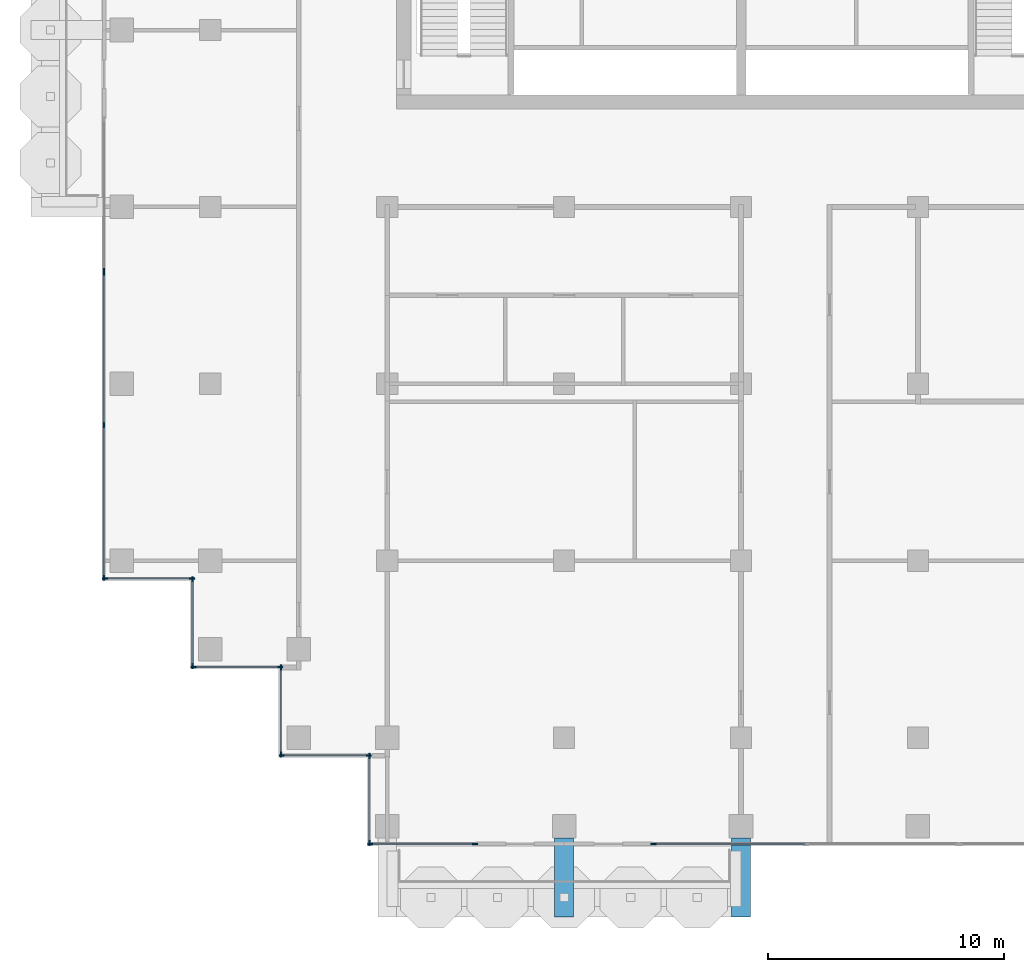
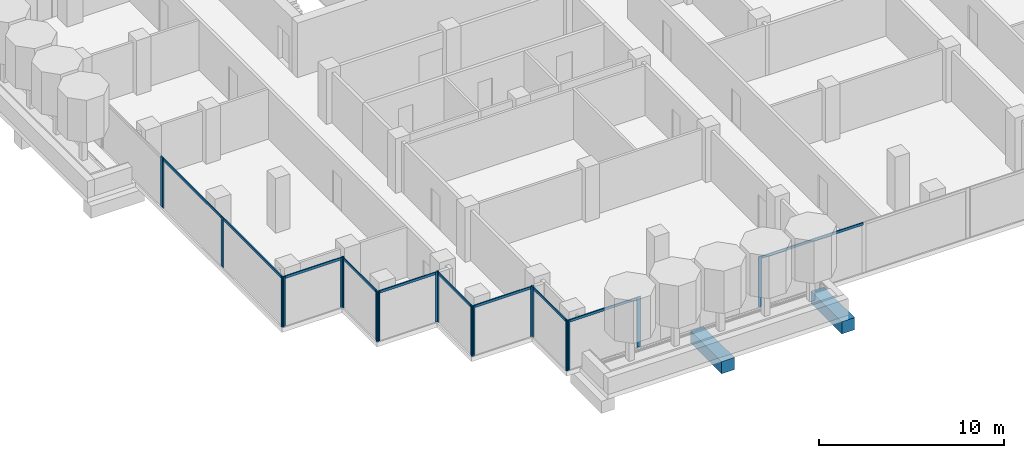
# One storey, part 2 of 18: 29 members, 2 beams, 10 elements without a shape of their own.
"""IFC4 building model written with IfcOpenShell, lengths in metres."""

import ifcopenshell
import ifcopenshell.guid

model = None  # the IFC model being written
_history = None  # IfcOwnerHistory: only IFC2X3 demands one
_inside = {}  # id of a spatial element -> (the spatial element, [elements in it])
_under = {}  # id of a project, library or spatial element -> (it, [spatial elements below it])
_declared = {}  # id of a project -> (the project, [libraries it declares])
_typed = {}  # id of a type object -> (the type object, [elements of that type])
_made_of = {}  # id of a material, layer set ... -> (it, [elements and type objects made of it])


def new_model(schema):
    """Start an empty IFC model of exactly this schema.

    Asked for "IFC4X3", IfcOpenShell would pick the latest addendum, in which some entities
    have other attributes; the version numbers below select the first issue.
    IFC2X3 requires an IfcOwnerHistory on every rooted entity: one is made here for all.
    """
    global model, _history
    if schema == "IFC4X3":
        model = ifcopenshell.file(schema_version=(4, 3, 0, 0))
    else:
        model = ifcopenshell.file(schema=schema)
    _inside.clear()
    _under.clear()
    _declared.clear()
    _typed.clear()
    _made_of.clear()
    _history = None
    if model.schema == "IFC2X3":
        org = make("IfcOrganization", Name="unknown")
        user = make(
            "IfcPersonAndOrganization",
            ThePerson=make("IfcPerson", FamilyName="unknown"),
            TheOrganization=org,
        )
        app = make(
            "IfcApplication",
            ApplicationDeveloper=org,
            Version="unknown",
            ApplicationFullName="unknown",
            ApplicationIdentifier="unknown",
        )
        _history = make(
            "IfcOwnerHistory",
            OwningUser=user,
            OwningApplication=app,
            ChangeAction="ADDED",
            CreationDate=0,
        )
    return model


def make(cls, **values):
    """One entity of the class cls with the attributes given. An attribute that is None is left unset."""
    return model.create_entity(
        cls, **{name: value for name, value in values.items() if value is not None}
    )


def rooted(cls, **values):
    """An entity with a GlobalId (a new one), such as an element, a storey or a relation."""
    return make(cls, GlobalId=ifcopenshell.guid.new(), OwnerHistory=_history, **values)


def si_unit(unit_type, name, prefix=None):
    """IfcSIUnit, for example si_unit("LENGTHUNIT", "METRE", prefix="MILLI")."""
    return make("IfcSIUnit", UnitType=unit_type, Prefix=prefix, Name=name)


def assignment(units):
    """IfcUnitAssignment: the units of a project."""
    return None if units is None else make("IfcUnitAssignment", Units=units)


def point(xyz):
    """IfcCartesianPoint."""
    return None if xyz is None else make("IfcCartesianPoint", Coordinates=xyz)


def direction(xyz):
    """IfcDirection."""
    return None if xyz is None else make("IfcDirection", DirectionRatios=xyz)


def frame(location, z_axis=None, x_axis=None):
    """IfcAxis2Placement3D, a coordinate frame: its origin and axes. An axis left out is left unset."""
    return make(
        "IfcAxis2Placement3D",
        Location=point(location),
        Axis=direction(z_axis),
        RefDirection=direction(x_axis),
    )


def frame_2d(location, x_axis=None):
    """IfcAxis2Placement2D, a coordinate frame in the plane: its origin and x axis."""
    return make(
        "IfcAxis2Placement2D", Location=point(location), RefDirection=direction(x_axis)
    )


def origin():
    """The frame at (0, 0, 0) with its axes left unset."""
    return frame((0.0, 0.0, 0.0))


def origin_2d():
    """The frame at (0, 0) in the plane with its x axis left unset."""
    return frame_2d((0.0, 0.0))


def place(relative_to, where):
    """IfcLocalPlacement: puts the frame where relative to a parent placement (None: the world)."""
    return make(
        "IfcLocalPlacement", PlacementRelTo=relative_to, RelativePlacement=where
    )


def context(
    kind, dimensions, precision=None, world=None, true_north=None, identifier=None
):
    """IfcGeometricRepresentationContext, for example the 3D "Model" context."""
    return make(
        "IfcGeometricRepresentationContext",
        ContextIdentifier=identifier,
        ContextType=kind,
        CoordinateSpaceDimension=dimensions,
        Precision=precision,
        WorldCoordinateSystem=world,
        TrueNorth=true_north,
    )


def subcontext(parent, identifier, kind, view, scale=None):
    """IfcGeometricRepresentationSubContext, for example "Body" below "Model"."""
    return make(
        "IfcGeometricRepresentationSubContext",
        ContextIdentifier=identifier,
        ContextType=kind,
        ParentContext=parent,
        TargetScale=scale,
        TargetView=view,
    )


def project(units=None, contexts=None):
    """IfcProject with its units and contexts."""
    return rooted(
        "IfcProject",
        Name="project",
        RepresentationContexts=contexts,
        UnitsInContext=assignment(units),
    )


def spatial(cls, under=None, at=None, **own):
    """A site, building, storey or space (cls), placed at a placement, below another one or the project."""
    s = rooted(cls, ObjectPlacement=at, **own)
    if under is not None:
        _under.setdefault(under.id(), (under, []))[1].append(s)
    return s


def profile(cls, at=None, kind="AREA", **sizes):
    """A parametric profile (cls). Its sizes go by their IFC names, for example OverallWidth=200.0."""
    return make(cls, ProfileType=kind, Position=at, **sizes)


def rectangle(**sizes):
    """IfcRectangleProfileDef."""
    return profile("IfcRectangleProfileDef", **sizes)


def extrude(swept, where, along, depth):
    """IfcExtrudedAreaSolid: the profile swept, set in the frame where, extruded along a direction by depth."""
    return make(
        "IfcExtrudedAreaSolid",
        SweptArea=swept,
        Position=where,
        ExtrudedDirection=direction(along),
        Depth=depth,
    )


def shape(context_of_items, identifier, shape_type, items):
    """IfcShapeRepresentation: the items that make up one representation, for example the "Body"."""
    return make(
        "IfcShapeRepresentation",
        ContextOfItems=context_of_items,
        RepresentationIdentifier=identifier,
        RepresentationType=shape_type,
        Items=items,
    )


def material(Name=None, Category=None):
    """IfcMaterial."""
    return make("IfcMaterial", Name=Name, Category=Category)


def material_profile(
    of_material, cross_section, Name=None, Category=None, Priority=None
):
    """IfcMaterialProfile: a cross section and its material."""
    return make(
        "IfcMaterialProfile",
        Name=Name,
        Material=of_material,
        Profile=cross_section,
        Priority=Priority,
        Category=Category,
    )


def profile_set(profiles, Name=None, composite=None):
    """IfcMaterialProfileSet."""
    return make(
        "IfcMaterialProfileSet",
        Name=Name,
        MaterialProfiles=profiles,
        CompositeProfile=composite,
    )


def made_of(thing, what):
    """Note that an element or type object is made of a material, layer set ...; save() writes the relation."""
    if what is not None:
        _made_of.setdefault(what.id(), (what, []))[1].append(thing)
    return thing


def type_object(cls, material=None, **own):
    """A type object (cls), such as IfcWallType, which elements share."""
    return made_of(rooted(cls, **own), material)


def element(
    cls,
    number,
    at=None,
    inside=None,
    cuts=None,
    type_object=None,
    material=None,
    context=None,
    identifier="Body",
    shape_type=None,
    held_by="IfcProductDefinitionShape",
    body=None,
    shapes=None,
    **own,
):
    """One element of the class cls, such as IfcWall. Its Tag is "e" and its number.

    at: its placement. inside: the storey or other place that contains it. cuts: it is an
    opening in that element (IfcRelVoidsElement). A single representation is given by context,
    identifier, shape_type and body (its items); several are given by shapes. held_by: the class
    of the entity that holds the representations. save() writes the other relations.
    """
    e = rooted(cls, Tag="e%d" % number, ObjectPlacement=at, **own)
    if body is not None:
        shapes = [shape(context, identifier, shape_type, body)]
    if shapes is not None:
        e.Representation = make(held_by, Representations=shapes)
    if inside is not None:
        _inside.setdefault(inside.id(), (inside, []))[1].append(e)
    if cuts is not None:
        rooted(
            "IfcRelVoidsElement", RelatingBuildingElement=cuts, RelatedOpeningElement=e
        )
    if type_object is not None:
        _typed.setdefault(type_object.id(), (type_object, []))[1].append(e)
    return made_of(e, material)


def aggregate(whole, parts):
    """IfcRelAggregates: a whole, such as a stair, and the parts it consists of."""
    return rooted("IfcRelAggregates", RelatingObject=whole, RelatedObjects=parts)


def save(model, path):
    """Write the relations noted so far, then the file.

    IfcRelAggregates (storeys below a building ...), IfcRelContainedInSpatialStructure (elements
    in a storey), IfcRelDefinesByType, IfcRelAssociatesMaterial and IfcRelDeclares: one each for
    every whole, place, type object, material and project.
    """
    for whole, parts in _under.values():
        aggregate(whole, parts)
    for where, things in _inside.values():
        rooted(
            "IfcRelContainedInSpatialStructure",
            RelatedElements=things,
            RelatingStructure=where,
        )
    for kind, things in _typed.values():
        rooted("IfcRelDefinesByType", RelatedObjects=things, RelatingType=kind)
    for what, things in _made_of.values():
        rooted("IfcRelAssociatesMaterial", RelatedObjects=things, RelatingMaterial=what)
    for by, libraries in _declared.values():
        rooted("IfcRelDeclares", RelatingContext=by, RelatedDefinitions=libraries)
    model.write(path)


model = new_model("IFC4")

# Units and contexts
model_context = context("Model", 3, precision=1e-05, world=origin(), true_north=direction((0.0, 1.0)))
body_context = subcontext(model_context, "Body", "Model", "MODEL_VIEW")
ifc_project = project(units=[si_unit("LENGTHUNIT", "METRE"), si_unit("AREAUNIT", "SQUARE_METRE"), si_unit("VOLUMEUNIT", "CUBIC_METRE"), si_unit("PLANEANGLEUNIT", "RADIAN"), si_unit("MASSUNIT", "GRAM", prefix="KILO")], contexts=[model_context])

# Site, building, storey
site_placement = place(None, origin())
site = spatial("IfcSite", under=ifc_project, at=site_placement, CompositionType="ELEMENT")
building_placement = place(site_placement, origin())
building = spatial("IfcBuilding", under=site, at=building_placement, Name="Pilkhan Gate Tower", CompositionType="ELEMENT")
storey_placement = place(building_placement, frame((0.0, 0.0, 199.5)))
storey = spatial("IfcBuildingStorey", under=building, at=storey_placement, Name="L51", CompositionType="ELEMENT", Elevation=199.5)

# Beams
ifc_material_1 = material(Name="Concrete C50/60", Category="concrete")
ifc_material_profile_1 = material_profile(ifc_material_1, rectangle(XDim=0.800048828125, YDim=0.800048828125, at=origin_2d()), Name="RC 800x800")
ifc_profile_set_1 = profile_set([ifc_material_profile_1], Name="Concrete C50/60")
beam_type = type_object("IfcBeamType", Name="Cantilever beam CB2 RC 800x800 C50/60", PredefinedType="BEAM", material=ifc_profile_set_1)
for number, where, z_axis, x_axis, name in (
    (1, (67.5, 40.75, -0.699951171875), (0.0, -1.0, 0.0), (1.0, 0.0, 0.0), "Balcony beam S.2 L51"),
    (2, (75.0, 40.75, -0.699951171875), (0.0, -1.0, 0.0), (1.0, 0.0, 0.0), "Balcony beam S.3 L51"),
):
    element("IfcBeam", number, at=place(storey_placement, frame(where, z_axis=z_axis, x_axis=x_axis)), inside=storey, type_object=beam_type, Name=name, PredefinedType="BEAM", context=body_context, shape_type="SweptSolid", body=[
        extrude(rectangle(XDim=0.800048828125, YDim=0.800048828125, at=origin_2d()), origin(), (0.0, 0.0, 1.0), 3.35009765625),
    ])

# Curtain wall, members
ifc_material_2 = material(Name="Pale anodised aluminium, clear low-iron double glazing", Category="aluminium")
curtain_wall_type = type_object("IfcCurtainWallType", Name="Office unitised curtain wall CW-O2", PredefinedType="USERDEFINED", material=ifc_material_2)
curtain_wall_1_placement = place(storey_placement, origin())
curtain_wall_1 = element("IfcCurtainWall", 3, at=curtain_wall_1_placement, inside=storey, type_object=curtain_wall_type, Name="Office unitised curtain wall CW-O2 L51 W", ObjectType="UNITISED CURTAIN WALL", PredefinedType="USERDEFINED")
ifc_material_3 = material(Name="Pale anodised aluminium", Category="aluminium")
ifc_material_profile_2 = material_profile(ifc_material_3, rectangle(XDim=0.06494140625, YDim=0.22509765625, at=origin_2d()), Name="Mullion 225x65")
ifc_profile_set_2 = profile_set([ifc_material_profile_2], Name="Pale anodised aluminium")
member_type_1 = type_object("IfcMemberType", Name="Mullion CW-O2 225x65", PredefinedType="MULLION", material=ifc_profile_set_2)
member_1_placement = place(storey_placement, frame((48.0, 51.782470703125, 0.0), z_axis=(0.0, 0.0, 1.0), x_axis=(-1.0, 0.0, 0.0)))
member_1 = element("IfcMember", 4, at=member_1_placement, type_object=member_type_1, Name="CW-O2 mullion 1", PredefinedType="MULLION", context=body_context, shape_type="SweptSolid", body=[
    extrude(rectangle(XDim=0.06494140625, YDim=0.22509765625, at=origin_2d()), origin(), (0.0, 0.0, 1.0), 3.300048828125),
])
member_2_placement = place(storey_placement, frame((48.0, 58.25, 0.0), z_axis=(0.0, 0.0, 1.0), x_axis=(-1.0, 0.0, 0.0)))
member_2 = element("IfcMember", 5, at=member_2_placement, type_object=member_type_1, Name="CW-O2 mullion 2", PredefinedType="MULLION", context=body_context, shape_type="SweptSolid", body=[
    extrude(rectangle(XDim=0.06494140625, YDim=0.22509765625, at=origin_2d()), origin(), (0.0, 0.0, 1.0), 3.300048828125),
])
member_3_placement = place(storey_placement, frame((48.0, 64.717529296875, 0.0), z_axis=(0.0, 0.0, 1.0), x_axis=(-1.0, 0.0, 0.0)))
member_3 = element("IfcMember", 6, at=member_3_placement, type_object=member_type_1, Name="CW-O2 mullion 3", PredefinedType="MULLION", context=body_context, shape_type="SweptSolid", body=[
    extrude(rectangle(XDim=0.06494140625, YDim=0.22509765625, at=origin_2d()), origin(), (0.0, 0.0, 1.0), 3.300048828125),
])

# Curtain wall, member
curtain_wall_2_placement = place(storey_placement, origin())
curtain_wall_2 = element("IfcCurtainWall", 7, at=curtain_wall_2_placement, inside=storey, type_object=curtain_wall_type, Name="Office unitised curtain wall CW-O2 L51 W", ObjectType="UNITISED CURTAIN WALL", PredefinedType="USERDEFINED")
member_4_placement = place(storey_placement, frame((48.0, 64.782470703125, 0.0), z_axis=(0.0, 0.0, 1.0), x_axis=(-1.0, 0.0, 0.0)))
member_4 = element("IfcMember", 8, at=member_4_placement, type_object=member_type_1, Name="CW-O2 mullion 1", PredefinedType="MULLION", context=body_context, shape_type="SweptSolid", body=[
    extrude(rectangle(XDim=0.06494140625, YDim=0.22509765625, at=origin_2d()), origin(), (0.0, 0.0, 1.0), 3.300048828125),
])
aggregate(curtain_wall_2, [member_4])

# Curtain wall, members
curtain_wall_3_placement = place(storey_placement, origin())
curtain_wall_3 = element("IfcCurtainWall", 9, at=curtain_wall_3_placement, inside=storey, type_object=curtain_wall_type, Name="Office unitised curtain wall CW-O2 L51 S", ObjectType="UNITISED CURTAIN WALL", PredefinedType="USERDEFINED")
member_5_placement = place(storey_placement, frame((48.032470703125, 51.75, 0.0), z_axis=(0.0, 0.0, 1.0), x_axis=(0.0, 1.0, 0.0)))
member_5 = element("IfcMember", 10, at=member_5_placement, type_object=member_type_1, Name="CW-O2 mullion 1", PredefinedType="MULLION", context=body_context, shape_type="SweptSolid", body=[
    extrude(rectangle(XDim=0.06494140625, YDim=0.22509765625, at=origin_2d()), origin(), (0.0, 0.0, 1.0), 3.300048828125),
])
member_6_placement = place(storey_placement, frame((51.717529296875, 51.75, 0.0), z_axis=(0.0, 0.0, 1.0), x_axis=(0.0, 1.0, 0.0)))
member_6 = element("IfcMember", 11, at=member_6_placement, type_object=member_type_1, Name="CW-O2 mullion 2", PredefinedType="MULLION", context=body_context, shape_type="SweptSolid", body=[
    extrude(rectangle(XDim=0.06494140625, YDim=0.22509765625, at=origin_2d()), origin(), (0.0, 0.0, 1.0), 3.300048828125),
])

curtain_wall_4_placement = place(storey_placement, origin())
curtain_wall_4 = element("IfcCurtainWall", 12, at=curtain_wall_4_placement, inside=storey, type_object=curtain_wall_type, Name="Office unitised curtain wall CW-O2 L51 W", ObjectType="UNITISED CURTAIN WALL", PredefinedType="USERDEFINED")
member_7_placement = place(storey_placement, frame((51.75, 48.032470703125, 0.0), z_axis=(0.0, 0.0, 1.0), x_axis=(-1.0, 0.0, 0.0)))
member_7 = element("IfcMember", 13, at=member_7_placement, type_object=member_type_1, Name="CW-O2 mullion 1", PredefinedType="MULLION", context=body_context, shape_type="SweptSolid", body=[
    extrude(rectangle(XDim=0.06494140625, YDim=0.22509765625, at=origin_2d()), origin(), (0.0, 0.0, 1.0), 3.300048828125),
])
member_8_placement = place(storey_placement, frame((51.75, 51.717529296875, 0.0), z_axis=(0.0, 0.0, 1.0), x_axis=(-1.0, 0.0, 0.0)))
member_8 = element("IfcMember", 14, at=member_8_placement, type_object=member_type_1, Name="CW-O2 mullion 2", PredefinedType="MULLION", context=body_context, shape_type="SweptSolid", body=[
    extrude(rectangle(XDim=0.06494140625, YDim=0.22509765625, at=origin_2d()), origin(), (0.0, 0.0, 1.0), 3.300048828125),
])

curtain_wall_5_placement = place(storey_placement, origin())
curtain_wall_5 = element("IfcCurtainWall", 15, at=curtain_wall_5_placement, inside=storey, type_object=curtain_wall_type, Name="Office unitised curtain wall CW-O2 L51 S", ObjectType="UNITISED CURTAIN WALL", PredefinedType="USERDEFINED")
member_9_placement = place(storey_placement, frame((51.782470703125, 48.0, 0.0), z_axis=(0.0, 0.0, 1.0), x_axis=(0.0, 1.0, 0.0)))
member_9 = element("IfcMember", 16, at=member_9_placement, type_object=member_type_1, Name="CW-O2 mullion 1", PredefinedType="MULLION", context=body_context, shape_type="SweptSolid", body=[
    extrude(rectangle(XDim=0.06494140625, YDim=0.22509765625, at=origin_2d()), origin(), (0.0, 0.0, 1.0), 3.300048828125),
])
member_10_placement = place(storey_placement, frame((55.467529296875, 48.0, 0.0), z_axis=(0.0, 0.0, 1.0), x_axis=(0.0, 1.0, 0.0)))
member_10 = element("IfcMember", 17, at=member_10_placement, type_object=member_type_1, Name="CW-O2 mullion 2", PredefinedType="MULLION", context=body_context, shape_type="SweptSolid", body=[
    extrude(rectangle(XDim=0.06494140625, YDim=0.22509765625, at=origin_2d()), origin(), (0.0, 0.0, 1.0), 3.300048828125),
])

curtain_wall_6_placement = place(storey_placement, origin())
curtain_wall_6 = element("IfcCurtainWall", 18, at=curtain_wall_6_placement, inside=storey, type_object=curtain_wall_type, Name="Office unitised curtain wall CW-O2 L51 W", ObjectType="UNITISED CURTAIN WALL", PredefinedType="USERDEFINED")
member_11_placement = place(storey_placement, frame((55.5, 44.282470703125, 0.0), z_axis=(0.0, 0.0, 1.0), x_axis=(-1.0, 0.0, 0.0)))
member_11 = element("IfcMember", 19, at=member_11_placement, type_object=member_type_1, Name="CW-O2 mullion 1", PredefinedType="MULLION", context=body_context, shape_type="SweptSolid", body=[
    extrude(rectangle(XDim=0.06494140625, YDim=0.22509765625, at=origin_2d()), origin(), (0.0, 0.0, 1.0), 3.300048828125),
])
member_12_placement = place(storey_placement, frame((55.5, 47.967529296875, 0.0), z_axis=(0.0, 0.0, 1.0), x_axis=(-1.0, 0.0, 0.0)))
member_12 = element("IfcMember", 20, at=member_12_placement, type_object=member_type_1, Name="CW-O2 mullion 2", PredefinedType="MULLION", context=body_context, shape_type="SweptSolid", body=[
    extrude(rectangle(XDim=0.06494140625, YDim=0.22509765625, at=origin_2d()), origin(), (0.0, 0.0, 1.0), 3.300048828125),
])

curtain_wall_7_placement = place(storey_placement, origin())
curtain_wall_7 = element("IfcCurtainWall", 21, at=curtain_wall_7_placement, inside=storey, type_object=curtain_wall_type, Name="Office unitised curtain wall CW-O2 L51 S", ObjectType="UNITISED CURTAIN WALL", PredefinedType="USERDEFINED")
member_13_placement = place(storey_placement, frame((55.532470703125, 44.25, 0.0), z_axis=(0.0, 0.0, 1.0), x_axis=(0.0, 1.0, 0.0)))
member_13 = element("IfcMember", 22, at=member_13_placement, type_object=member_type_1, Name="CW-O2 mullion 1", PredefinedType="MULLION", context=body_context, shape_type="SweptSolid", body=[
    extrude(rectangle(XDim=0.06494140625, YDim=0.22509765625, at=origin_2d()), origin(), (0.0, 0.0, 1.0), 3.300048828125),
])
member_14_placement = place(storey_placement, frame((59.217529296875, 44.25, 0.0), z_axis=(0.0, 0.0, 1.0), x_axis=(0.0, 1.0, 0.0)))
member_14 = element("IfcMember", 23, at=member_14_placement, type_object=member_type_1, Name="CW-O2 mullion 2", PredefinedType="MULLION", context=body_context, shape_type="SweptSolid", body=[
    extrude(rectangle(XDim=0.06494140625, YDim=0.22509765625, at=origin_2d()), origin(), (0.0, 0.0, 1.0), 3.300048828125),
])

curtain_wall_8_placement = place(storey_placement, origin())
curtain_wall_8 = element("IfcCurtainWall", 24, at=curtain_wall_8_placement, inside=storey, type_object=curtain_wall_type, Name="Office unitised curtain wall CW-O2 L51 W", ObjectType="UNITISED CURTAIN WALL", PredefinedType="USERDEFINED")
member_15_placement = place(storey_placement, frame((59.25, 40.532470703125, 0.0), z_axis=(0.0, 0.0, 1.0), x_axis=(-1.0, 0.0, 0.0)))
member_15 = element("IfcMember", 25, at=member_15_placement, type_object=member_type_1, Name="CW-O2 mullion 1", PredefinedType="MULLION", context=body_context, shape_type="SweptSolid", body=[
    extrude(rectangle(XDim=0.06494140625, YDim=0.22509765625, at=origin_2d()), origin(), (0.0, 0.0, 1.0), 3.300048828125),
])
member_16_placement = place(storey_placement, frame((59.25, 44.217529296875, 0.0), z_axis=(0.0, 0.0, 1.0), x_axis=(-1.0, 0.0, 0.0)))
member_16 = element("IfcMember", 26, at=member_16_placement, type_object=member_type_1, Name="CW-O2 mullion 2", PredefinedType="MULLION", context=body_context, shape_type="SweptSolid", body=[
    extrude(rectangle(XDim=0.06494140625, YDim=0.22509765625, at=origin_2d()), origin(), (0.0, 0.0, 1.0), 3.300048828125),
])

curtain_wall_9_placement = place(storey_placement, origin())
curtain_wall_9 = element("IfcCurtainWall", 27, at=curtain_wall_9_placement, inside=storey, type_object=curtain_wall_type, Name="Office unitised curtain wall CW-O2 L51 S", ObjectType="UNITISED CURTAIN WALL", PredefinedType="USERDEFINED")
member_17_placement = place(storey_placement, frame((59.282470703125, 40.5, 0.0), z_axis=(0.0, 0.0, 1.0), x_axis=(0.0, 1.0, 0.0)))
member_17 = element("IfcMember", 28, at=member_17_placement, type_object=member_type_1, Name="CW-O2 mullion 1", PredefinedType="MULLION", context=body_context, shape_type="SweptSolid", body=[
    extrude(rectangle(XDim=0.06494140625, YDim=0.22509765625, at=origin_2d()), origin(), (0.0, 0.0, 1.0), 3.300048828125),
])
member_18_placement = place(storey_placement, frame((63.717529296875, 40.5, 0.0), z_axis=(0.0, 0.0, 1.0), x_axis=(0.0, 1.0, 0.0)))
member_18 = element("IfcMember", 29, at=member_18_placement, type_object=member_type_1, Name="CW-O2 mullion 2", PredefinedType="MULLION", context=body_context, shape_type="SweptSolid", body=[
    extrude(rectangle(XDim=0.06494140625, YDim=0.22509765625, at=origin_2d()), origin(), (0.0, 0.0, 1.0), 3.300048828125),
])

# Curtain wall, member
curtain_wall_10_placement = place(storey_placement, origin())
curtain_wall_10 = element("IfcCurtainWall", 30, at=curtain_wall_10_placement, inside=storey, type_object=curtain_wall_type, Name="Office unitised curtain wall CW-O2 L51 S", ObjectType="UNITISED CURTAIN WALL", PredefinedType="USERDEFINED")
member_19_placement = place(storey_placement, frame((71.282470703125, 40.5, 0.0), z_axis=(0.0, 0.0, 1.0), x_axis=(0.0, 1.0, 0.0)))
member_19 = element("IfcMember", 31, at=member_19_placement, type_object=member_type_1, Name="CW-O2 mullion 1", PredefinedType="MULLION", context=body_context, shape_type="SweptSolid", body=[
    extrude(rectangle(XDim=0.06494140625, YDim=0.22509765625, at=origin_2d()), origin(), (0.0, 0.0, 1.0), 3.300048828125),
])

# Member
ifc_material_profile_3 = material_profile(ifc_material_3, rectangle(XDim=0.06494140625, YDim=0.1650390625, at=origin_2d()), Name="Transom 165x65")
ifc_profile_set_3 = profile_set([ifc_material_profile_3], Name="Pale anodised aluminium")
member_type_2 = type_object("IfcMemberType", Name="Transom CW-O2 165x65", PredefinedType="USERDEFINED", material=ifc_profile_set_3)
member_20_placement = place(storey_placement, frame((48.0, 51.81494140625, 3.217529296875), z_axis=(0.0, 1.0, 0.0), x_axis=(-1.0, 0.0, 0.0)))
member_20 = element("IfcMember", 32, at=member_20_placement, type_object=member_type_2, Name="CW-O2 transom 1", ObjectType="TRANSOM", PredefinedType="USERDEFINED", context=body_context, shape_type="SweptSolid", body=[
    extrude(rectangle(XDim=0.06494140625, YDim=0.1650390625, at=origin_2d()), origin(), (0.0, 0.0, 1.0), 6.402587890625),
])

member_21_placement = place(storey_placement, frame((48.0, 58.282470703125, 3.217529296875), z_axis=(0.0, 1.0, 0.0), x_axis=(-1.0, 0.0, 0.0)))
member_21 = element("IfcMember", 33, at=member_21_placement, type_object=member_type_2, Name="CW-O2 transom 2", ObjectType="TRANSOM", PredefinedType="USERDEFINED", context=body_context, shape_type="SweptSolid", body=[
    extrude(rectangle(XDim=0.06494140625, YDim=0.1650390625, at=origin_2d()), origin(), (0.0, 0.0, 1.0), 6.402587890625),
])

aggregate(curtain_wall_1, [member_1, member_2, member_3, member_20, member_21])

member_22_placement = place(storey_placement, frame((48.06494140625, 51.75, 3.217529296875), z_axis=(1.0, 0.0, 0.0), x_axis=(0.0, 1.0, 0.0)))
member_22 = element("IfcMember", 34, at=member_22_placement, type_object=member_type_2, Name="CW-O2 transom 1", ObjectType="TRANSOM", PredefinedType="USERDEFINED", context=body_context, shape_type="SweptSolid", body=[
    extrude(rectangle(XDim=0.06494140625, YDim=0.1650390625, at=origin_2d()), origin(), (0.0, 0.0, 1.0), 3.6201171875),
])

aggregate(curtain_wall_3, [member_5, member_6, member_22])

member_23_placement = place(storey_placement, frame((51.75, 48.06494140625, 3.217529296875), z_axis=(0.0, 1.0, 0.0), x_axis=(-1.0, 0.0, 0.0)))
member_23 = element("IfcMember", 35, at=member_23_placement, type_object=member_type_2, Name="CW-O2 transom 1", ObjectType="TRANSOM", PredefinedType="USERDEFINED", context=body_context, shape_type="SweptSolid", body=[
    extrude(rectangle(XDim=0.06494140625, YDim=0.1650390625, at=origin_2d()), origin(), (0.0, 0.0, 1.0), 3.6201171875),
])

aggregate(curtain_wall_4, [member_7, member_8, member_23])

member_24_placement = place(storey_placement, frame((51.81494140625, 48.0, 3.217529296875), z_axis=(1.0, 0.0, 0.0), x_axis=(0.0, 1.0, 0.0)))
member_24 = element("IfcMember", 36, at=member_24_placement, type_object=member_type_2, Name="CW-O2 transom 1", ObjectType="TRANSOM", PredefinedType="USERDEFINED", context=body_context, shape_type="SweptSolid", body=[
    extrude(rectangle(XDim=0.06494140625, YDim=0.1650390625, at=origin_2d()), origin(), (0.0, 0.0, 1.0), 3.6201171875),
])

aggregate(curtain_wall_5, [member_9, member_10, member_24])

member_25_placement = place(storey_placement, frame((55.5, 44.31494140625, 3.217529296875), z_axis=(0.0, 1.0, 0.0), x_axis=(-1.0, 0.0, 0.0)))
member_25 = element("IfcMember", 37, at=member_25_placement, type_object=member_type_2, Name="CW-O2 transom 1", ObjectType="TRANSOM", PredefinedType="USERDEFINED", context=body_context, shape_type="SweptSolid", body=[
    extrude(rectangle(XDim=0.06494140625, YDim=0.1650390625, at=origin_2d()), origin(), (0.0, 0.0, 1.0), 3.6201171875),
])

aggregate(curtain_wall_6, [member_11, member_12, member_25])

member_26_placement = place(storey_placement, frame((55.56494140625, 44.25, 3.217529296875), z_axis=(1.0, 0.0, 0.0), x_axis=(0.0, 1.0, 0.0)))
member_26 = element("IfcMember", 38, at=member_26_placement, type_object=member_type_2, Name="CW-O2 transom 1", ObjectType="TRANSOM", PredefinedType="USERDEFINED", context=body_context, shape_type="SweptSolid", body=[
    extrude(rectangle(XDim=0.06494140625, YDim=0.1650390625, at=origin_2d()), origin(), (0.0, 0.0, 1.0), 3.6201171875),
])

aggregate(curtain_wall_7, [member_13, member_14, member_26])

member_27_placement = place(storey_placement, frame((59.25, 40.56494140625, 3.217529296875), z_axis=(0.0, 1.0, 0.0), x_axis=(-1.0, 0.0, 0.0)))
member_27 = element("IfcMember", 39, at=member_27_placement, type_object=member_type_2, Name="CW-O2 transom 1", ObjectType="TRANSOM", PredefinedType="USERDEFINED", context=body_context, shape_type="SweptSolid", body=[
    extrude(rectangle(XDim=0.06494140625, YDim=0.1650390625, at=origin_2d()), origin(), (0.0, 0.0, 1.0), 3.6201171875),
])

aggregate(curtain_wall_8, [member_15, member_16, member_27])

member_28_placement = place(storey_placement, frame((59.31494140625, 40.5, 3.217529296875), z_axis=(1.0, 0.0, 0.0), x_axis=(0.0, 1.0, 0.0)))
member_28 = element("IfcMember", 40, at=member_28_placement, type_object=member_type_2, Name="CW-O2 transom 1", ObjectType="TRANSOM", PredefinedType="USERDEFINED", context=body_context, shape_type="SweptSolid", body=[
    extrude(rectangle(XDim=0.06494140625, YDim=0.1650390625, at=origin_2d()), origin(), (0.0, 0.0, 1.0), 4.3701171875),
])

aggregate(curtain_wall_9, [member_17, member_18, member_28])

member_29_placement = place(storey_placement, frame((71.31494140625, 40.5, 3.217529296875), z_axis=(1.0, 0.0, 0.0), x_axis=(0.0, 1.0, 0.0)))
member_29 = element("IfcMember", 41, at=member_29_placement, type_object=member_type_2, Name="CW-O2 transom 1", ObjectType="TRANSOM", PredefinedType="USERDEFINED", context=body_context, shape_type="SweptSolid", body=[
    extrude(rectangle(XDim=0.06494140625, YDim=0.1650390625, at=origin_2d()), origin(), (0.0, 0.0, 1.0), 6.402587890625),
])

aggregate(curtain_wall_10, [member_19, member_29])

save(model, "model.ifc")
